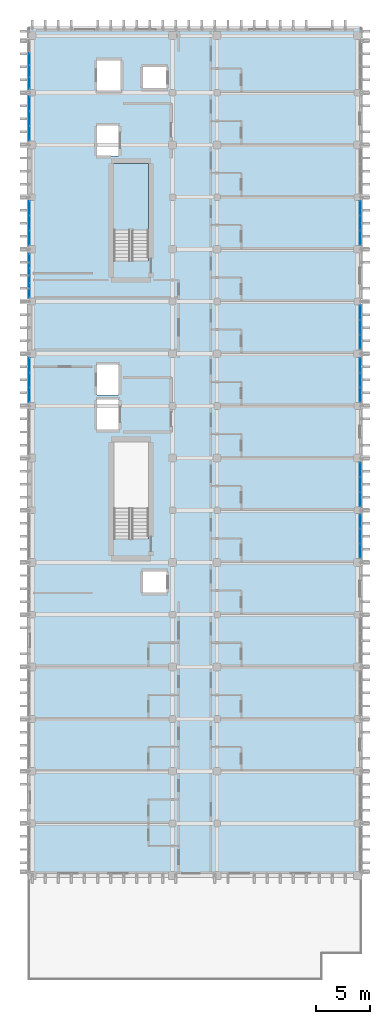
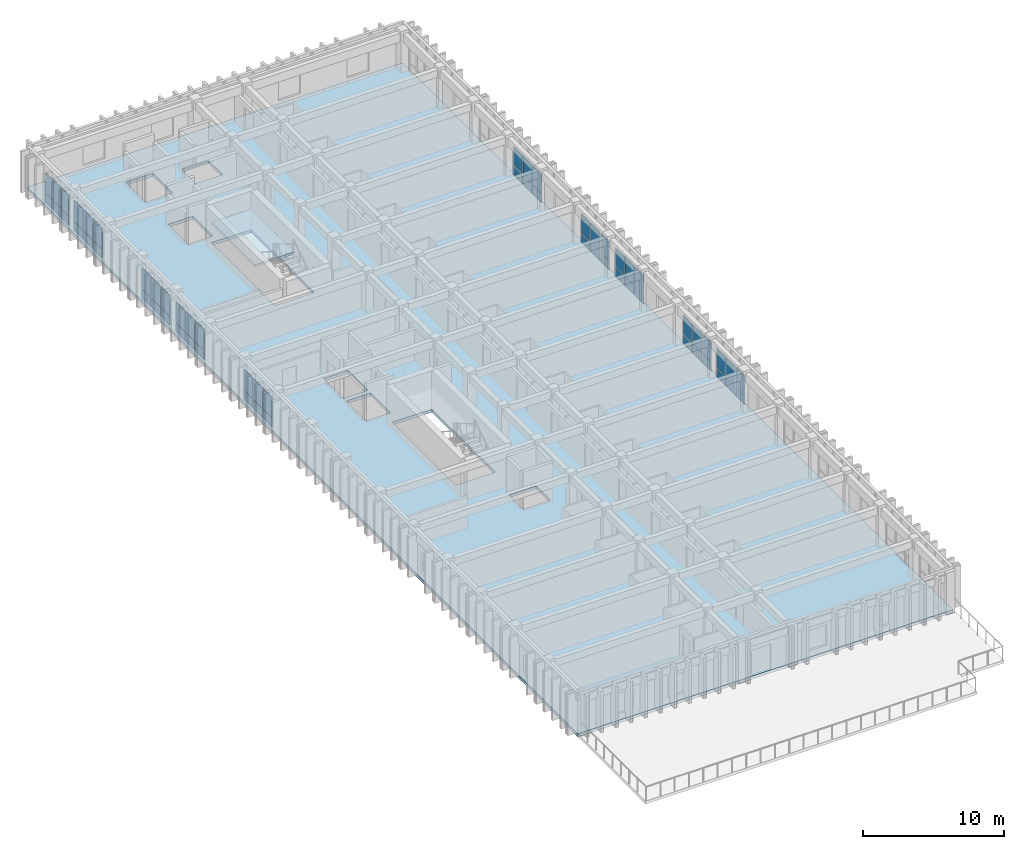
# One storey, part 46 of 59: 60 plates, 2 slabs, 11 elements without a shape of their own.
"""IFC4 building model written with IfcOpenShell, lengths in metres."""

import ifcopenshell
import ifcopenshell.guid

model = None  # the IFC model being written
_history = None  # IfcOwnerHistory: only IFC2X3 demands one
_inside = {}  # id of a spatial element -> (the spatial element, [elements in it])
_under = {}  # id of a project, library or spatial element -> (it, [spatial elements below it])
_declared = {}  # id of a project -> (the project, [libraries it declares])
_typed = {}  # id of a type object -> (the type object, [elements of that type])
_made_of = {}  # id of a material, layer set ... -> (it, [elements and type objects made of it])


def new_model(schema):
    """Start an empty IFC model of exactly this schema.

    Asked for "IFC4X3", IfcOpenShell would pick the latest addendum, in which some entities
    have other attributes; the version numbers below select the first issue.
    IFC2X3 requires an IfcOwnerHistory on every rooted entity: one is made here for all.
    """
    global model, _history
    if schema == "IFC4X3":
        model = ifcopenshell.file(schema_version=(4, 3, 0, 0))
    else:
        model = ifcopenshell.file(schema=schema)
    _inside.clear()
    _under.clear()
    _declared.clear()
    _typed.clear()
    _made_of.clear()
    _history = None
    if model.schema == "IFC2X3":
        org = make("IfcOrganization", Name="unknown")
        user = make(
            "IfcPersonAndOrganization",
            ThePerson=make("IfcPerson", FamilyName="unknown"),
            TheOrganization=org,
        )
        app = make(
            "IfcApplication",
            ApplicationDeveloper=org,
            Version="unknown",
            ApplicationFullName="unknown",
            ApplicationIdentifier="unknown",
        )
        _history = make(
            "IfcOwnerHistory",
            OwningUser=user,
            OwningApplication=app,
            ChangeAction="ADDED",
            CreationDate=0,
        )
    return model


def make(cls, **values):
    """One entity of the class cls with the attributes given. An attribute that is None is left unset."""
    return model.create_entity(
        cls, **{name: value for name, value in values.items() if value is not None}
    )


def rooted(cls, **values):
    """An entity with a GlobalId (a new one), such as an element, a storey or a relation."""
    return make(cls, GlobalId=ifcopenshell.guid.new(), OwnerHistory=_history, **values)


def si_unit(unit_type, name, prefix=None):
    """IfcSIUnit, for example si_unit("LENGTHUNIT", "METRE", prefix="MILLI")."""
    return make("IfcSIUnit", UnitType=unit_type, Prefix=prefix, Name=name)


def assignment(units):
    """IfcUnitAssignment: the units of a project."""
    return None if units is None else make("IfcUnitAssignment", Units=units)


def point(xyz):
    """IfcCartesianPoint."""
    return None if xyz is None else make("IfcCartesianPoint", Coordinates=xyz)


def direction(xyz):
    """IfcDirection."""
    return None if xyz is None else make("IfcDirection", DirectionRatios=xyz)


def frame(location, z_axis=None, x_axis=None):
    """IfcAxis2Placement3D, a coordinate frame: its origin and axes. An axis left out is left unset."""
    return make(
        "IfcAxis2Placement3D",
        Location=point(location),
        Axis=direction(z_axis),
        RefDirection=direction(x_axis),
    )


def frame_2d(location, x_axis=None):
    """IfcAxis2Placement2D, a coordinate frame in the plane: its origin and x axis."""
    return make(
        "IfcAxis2Placement2D", Location=point(location), RefDirection=direction(x_axis)
    )


def origin():
    """The frame at (0, 0, 0) with its axes left unset."""
    return frame((0.0, 0.0, 0.0))


def origin_2d():
    """The frame at (0, 0) in the plane with its x axis left unset."""
    return frame_2d((0.0, 0.0))


def place(relative_to, where):
    """IfcLocalPlacement: puts the frame where relative to a parent placement (None: the world)."""
    return make(
        "IfcLocalPlacement", PlacementRelTo=relative_to, RelativePlacement=where
    )


def context(
    kind, dimensions, precision=None, world=None, true_north=None, identifier=None
):
    """IfcGeometricRepresentationContext, for example the 3D "Model" context."""
    return make(
        "IfcGeometricRepresentationContext",
        ContextIdentifier=identifier,
        ContextType=kind,
        CoordinateSpaceDimension=dimensions,
        Precision=precision,
        WorldCoordinateSystem=world,
        TrueNorth=true_north,
    )


def subcontext(parent, identifier, kind, view, scale=None):
    """IfcGeometricRepresentationSubContext, for example "Body" below "Model"."""
    return make(
        "IfcGeometricRepresentationSubContext",
        ContextIdentifier=identifier,
        ContextType=kind,
        ParentContext=parent,
        TargetScale=scale,
        TargetView=view,
    )


def project(units=None, contexts=None):
    """IfcProject with its units and contexts."""
    return rooted(
        "IfcProject",
        Name="project",
        RepresentationContexts=contexts,
        UnitsInContext=assignment(units),
    )


def spatial(cls, under=None, at=None, **own):
    """A site, building, storey or space (cls), placed at a placement, below another one or the project."""
    s = rooted(cls, ObjectPlacement=at, **own)
    if under is not None:
        _under.setdefault(under.id(), (under, []))[1].append(s)
    return s


def polyline(points):
    """IfcPolyline through the points."""
    return make("IfcPolyline", Points=[point(p) for p in points])


def profile(cls, at=None, kind="AREA", **sizes):
    """A parametric profile (cls). Its sizes go by their IFC names, for example OverallWidth=200.0."""
    return make(cls, ProfileType=kind, Position=at, **sizes)


def rectangle(**sizes):
    """IfcRectangleProfileDef."""
    return profile("IfcRectangleProfileDef", **sizes)


def outline(outer, holes=None, kind="AREA"):
    """IfcArbitraryClosedProfileDef: a profile drawn as a closed curve; with holes, ...WithVoids."""
    if holes is None:
        return make("IfcArbitraryClosedProfileDef", ProfileType=kind, OuterCurve=outer)
    return make(
        "IfcArbitraryProfileDefWithVoids",
        ProfileType=kind,
        OuterCurve=outer,
        InnerCurves=holes,
    )


def extrude(swept, where, along, depth):
    """IfcExtrudedAreaSolid: the profile swept, set in the frame where, extruded along a direction by depth."""
    return make(
        "IfcExtrudedAreaSolid",
        SweptArea=swept,
        Position=where,
        ExtrudedDirection=direction(along),
        Depth=depth,
    )


def shape(context_of_items, identifier, shape_type, items):
    """IfcShapeRepresentation: the items that make up one representation, for example the "Body"."""
    return make(
        "IfcShapeRepresentation",
        ContextOfItems=context_of_items,
        RepresentationIdentifier=identifier,
        RepresentationType=shape_type,
        Items=items,
    )


def material(Name=None, Category=None):
    """IfcMaterial."""
    return make("IfcMaterial", Name=Name, Category=Category)


def layer(
    of_material, thickness, ventilated=None, Name=None, Category=None, Priority=None
):
    """IfcMaterialLayer: one layer of a wall or slab, of a material (None: an air gap)."""
    return make(
        "IfcMaterialLayer",
        Material=of_material,
        LayerThickness=thickness,
        IsVentilated=ventilated,
        Name=Name,
        Category=Category,
        Priority=Priority,
    )


def layer_set(layers, Name=None):
    """IfcMaterialLayerSet."""
    return make("IfcMaterialLayerSet", MaterialLayers=layers, LayerSetName=Name)


def made_of(thing, what):
    """Note that an element or type object is made of a material, layer set ...; save() writes the relation."""
    if what is not None:
        _made_of.setdefault(what.id(), (what, []))[1].append(thing)
    return thing


def type_object(cls, material=None, **own):
    """A type object (cls), such as IfcWallType, which elements share."""
    return made_of(rooted(cls, **own), material)


def element(
    cls,
    number,
    at=None,
    inside=None,
    cuts=None,
    type_object=None,
    material=None,
    context=None,
    identifier="Body",
    shape_type=None,
    held_by="IfcProductDefinitionShape",
    body=None,
    shapes=None,
    **own,
):
    """One element of the class cls, such as IfcWall. Its Tag is "e" and its number.

    at: its placement. inside: the storey or other place that contains it. cuts: it is an
    opening in that element (IfcRelVoidsElement). A single representation is given by context,
    identifier, shape_type and body (its items); several are given by shapes. held_by: the class
    of the entity that holds the representations. save() writes the other relations.
    """
    e = rooted(cls, Tag="e%d" % number, ObjectPlacement=at, **own)
    if body is not None:
        shapes = [shape(context, identifier, shape_type, body)]
    if shapes is not None:
        e.Representation = make(held_by, Representations=shapes)
    if inside is not None:
        _inside.setdefault(inside.id(), (inside, []))[1].append(e)
    if cuts is not None:
        rooted(
            "IfcRelVoidsElement", RelatingBuildingElement=cuts, RelatedOpeningElement=e
        )
    if type_object is not None:
        _typed.setdefault(type_object.id(), (type_object, []))[1].append(e)
    return made_of(e, material)


def aggregate(whole, parts):
    """IfcRelAggregates: a whole, such as a stair, and the parts it consists of."""
    return rooted("IfcRelAggregates", RelatingObject=whole, RelatedObjects=parts)


def save(model, path):
    """Write the relations noted so far, then the file.

    IfcRelAggregates (storeys below a building ...), IfcRelContainedInSpatialStructure (elements
    in a storey), IfcRelDefinesByType, IfcRelAssociatesMaterial and IfcRelDeclares: one each for
    every whole, place, type object, material and project.
    """
    for whole, parts in _under.values():
        aggregate(whole, parts)
    for where, things in _inside.values():
        rooted(
            "IfcRelContainedInSpatialStructure",
            RelatedElements=things,
            RelatingStructure=where,
        )
    for kind, things in _typed.values():
        rooted("IfcRelDefinesByType", RelatedObjects=things, RelatingType=kind)
    for what, things in _made_of.values():
        rooted("IfcRelAssociatesMaterial", RelatedObjects=things, RelatingMaterial=what)
    for by, libraries in _declared.values():
        rooted("IfcRelDeclares", RelatingContext=by, RelatedDefinitions=libraries)
    model.write(path)


model = new_model("IFC4")

# Units and contexts
model_context = context("Model", 3, precision=1e-05, world=origin(), true_north=direction((0.0, 1.0)))
body_context = subcontext(model_context, "Body", "Model", "MODEL_VIEW")
ifc_project = project(units=[si_unit("LENGTHUNIT", "METRE"), si_unit("AREAUNIT", "SQUARE_METRE"), si_unit("VOLUMEUNIT", "CUBIC_METRE"), si_unit("PLANEANGLEUNIT", "RADIAN"), si_unit("MASSUNIT", "GRAM", prefix="KILO")], contexts=[model_context])

# Site, building, storey
site_placement = place(None, origin())
site = spatial("IfcSite", under=ifc_project, at=site_placement, CompositionType="ELEMENT")
building_placement = place(site_placement, origin())
building = spatial("IfcBuilding", under=site, at=building_placement, Name="Nakhvara Creek Congress Hotel", CompositionType="ELEMENT")
storey_placement = place(building_placement, frame((0.0, 0.0, 31.800048828125)))
storey = spatial("IfcBuildingStorey", under=building, at=storey_placement, Name="L07", CompositionType="ELEMENT", Elevation=31.800048828125)

# Curtain wall, plates
ifc_material_1 = material(Name="Bronze-anodised aluminium AW-6063-T6 and double-silver low-E glass", Category="aluminium")
ifc_layer_1 = layer(ifc_material_1, 0.199951171875)
ifc_layer_set_1 = layer_set([ifc_layer_1], Name="Bronze-anodised aluminium AW-6063-T6 and double-silver low-E glass")
curtain_wall_type = type_object("IfcCurtainWallType", Name="CW-HTL-UNIT", PredefinedType="USERDEFINED", material=ifc_layer_set_1)
curtain_wall_1_placement = place(storey_placement, origin())
curtain_wall_1 = element("IfcCurtainWall", 1, at=curtain_wall_1_placement, inside=storey, type_object=curtain_wall_type, Name="Curtain Wall CW261", ObjectType="UNITISED", PredefinedType="USERDEFINED")
ifc_material_2 = material(Name="Double-silver solar-control low-E insulated glass", Category="glass")
plate_type_1 = type_object("IfcPlateType", Name="PNL-GLZ-120X250", PredefinedType="CURTAIN_PANEL", material=ifc_material_2)
plate_1_placement = place(storey_placement, frame((179.60009765625, 80.575439453125, 0.06494140625), z_axis=(0.0, 0.0, 1.0), x_axis=(0.0, -1.0, 0.0)))
plate_1 = element("IfcPlate", 2, at=plate_1_placement, type_object=plate_type_1, Name="CW261 panel 1.1", PredefinedType="CURTAIN_PANEL", context=body_context, shape_type="SweptSolid", body=[
    extrude(rectangle(XDim=1.269287109375, YDim=0.028076171875, at=origin_2d()), origin(), (0.0, 0.0, 1.0), 0.75244140625),
])
plate_2_placement = place(storey_placement, frame((179.60009765625, 80.575439453125, 0.88232421875), z_axis=(0.0, 0.0, 1.0), x_axis=(0.0, -1.0, 0.0)))
plate_2 = element("IfcPlate", 3, at=plate_2_placement, type_object=plate_type_1, Name="CW261 panel 1.2", PredefinedType="CURTAIN_PANEL", context=body_context, shape_type="SweptSolid", body=[
    extrude(rectangle(XDim=1.269287109375, YDim=0.028076171875, at=origin_2d()), origin(), (0.0, 0.0, 1.0), 1.654541015625),
])
plate_3_placement = place(storey_placement, frame((179.60009765625, 79.22509765625, 0.06494140625), z_axis=(0.0, 0.0, 1.0), x_axis=(0.0, -1.0, 0.0)))
plate_3 = element("IfcPlate", 4, at=plate_3_placement, type_object=plate_type_1, Name="CW261 panel 2.1", PredefinedType="CURTAIN_PANEL", context=body_context, shape_type="SweptSolid", body=[
    extrude(rectangle(XDim=1.3017578125, YDim=0.028076171875, at=origin_2d()), origin(), (0.0, 0.0, 1.0), 0.75244140625),
])
plate_4_placement = place(storey_placement, frame((179.60009765625, 79.22509765625, 0.88232421875), z_axis=(0.0, 0.0, 1.0), x_axis=(0.0, -1.0, 0.0)))
plate_4 = element("IfcPlate", 5, at=plate_4_placement, type_object=plate_type_1, Name="CW261 panel 2.2", PredefinedType="CURTAIN_PANEL", context=body_context, shape_type="SweptSolid", body=[
    extrude(rectangle(XDim=1.3017578125, YDim=0.028076171875, at=origin_2d()), origin(), (0.0, 0.0, 1.0), 1.654541015625),
])
plate_5_placement = place(storey_placement, frame((179.60009765625, 77.87451171875, 0.06494140625), z_axis=(0.0, 0.0, 1.0), x_axis=(0.0, -1.0, 0.0)))
plate_5 = element("IfcPlate", 6, at=plate_5_placement, type_object=plate_type_1, Name="CW261 panel 3.1", PredefinedType="CURTAIN_PANEL", context=body_context, shape_type="SweptSolid", body=[
    extrude(rectangle(XDim=1.269287109375, YDim=0.028076171875, at=origin_2d()), origin(), (0.0, 0.0, 1.0), 0.75244140625),
])
plate_6_placement = place(storey_placement, frame((179.60009765625, 77.87451171875, 0.88232421875), z_axis=(0.0, 0.0, 1.0), x_axis=(0.0, -1.0, 0.0)))
plate_6 = element("IfcPlate", 7, at=plate_6_placement, type_object=plate_type_1, Name="CW261 panel 3.2", PredefinedType="CURTAIN_PANEL", context=body_context, shape_type="SweptSolid", body=[
    extrude(rectangle(XDim=1.269287109375, YDim=0.028076171875, at=origin_2d()), origin(), (0.0, 0.0, 1.0), 1.654541015625),
])
aggregate(curtain_wall_1, [plate_1, plate_2, plate_3, plate_4, plate_5, plate_6])

curtain_wall_2_placement = place(storey_placement, origin())
curtain_wall_2 = element("IfcCurtainWall", 8, at=curtain_wall_2_placement, inside=storey, type_object=curtain_wall_type, Name="Curtain Wall CW263", ObjectType="UNITISED", PredefinedType="USERDEFINED")
plate_7_placement = place(storey_placement, frame((179.60009765625, 85.325439453125, 0.06494140625), z_axis=(0.0, 0.0, 1.0), x_axis=(0.0, -1.0, 0.0)))
plate_7 = element("IfcPlate", 9, at=plate_7_placement, type_object=plate_type_1, Name="CW263 panel 1.1", PredefinedType="CURTAIN_PANEL", context=body_context, shape_type="SweptSolid", body=[
    extrude(rectangle(XDim=1.269287109375, YDim=0.028076171875, at=origin_2d()), origin(), (0.0, 0.0, 1.0), 0.75244140625),
])
plate_8_placement = place(storey_placement, frame((179.60009765625, 85.325439453125, 0.88232421875), z_axis=(0.0, 0.0, 1.0), x_axis=(0.0, -1.0, 0.0)))
plate_8 = element("IfcPlate", 10, at=plate_8_placement, type_object=plate_type_1, Name="CW263 panel 1.2", PredefinedType="CURTAIN_PANEL", context=body_context, shape_type="SweptSolid", body=[
    extrude(rectangle(XDim=1.269287109375, YDim=0.028076171875, at=origin_2d()), origin(), (0.0, 0.0, 1.0), 1.654541015625),
])
plate_9_placement = place(storey_placement, frame((179.60009765625, 83.97509765625, 0.06494140625), z_axis=(0.0, 0.0, 1.0), x_axis=(0.0, -1.0, 0.0)))
plate_9 = element("IfcPlate", 11, at=plate_9_placement, type_object=plate_type_1, Name="CW263 panel 2.1", PredefinedType="CURTAIN_PANEL", context=body_context, shape_type="SweptSolid", body=[
    extrude(rectangle(XDim=1.3017578125, YDim=0.028076171875, at=origin_2d()), origin(), (0.0, 0.0, 1.0), 0.75244140625),
])
plate_10_placement = place(storey_placement, frame((179.60009765625, 83.97509765625, 0.88232421875), z_axis=(0.0, 0.0, 1.0), x_axis=(0.0, -1.0, 0.0)))
plate_10 = element("IfcPlate", 12, at=plate_10_placement, type_object=plate_type_1, Name="CW263 panel 2.2", PredefinedType="CURTAIN_PANEL", context=body_context, shape_type="SweptSolid", body=[
    extrude(rectangle(XDim=1.3017578125, YDim=0.028076171875, at=origin_2d()), origin(), (0.0, 0.0, 1.0), 1.654541015625),
])
plate_11_placement = place(storey_placement, frame((179.60009765625, 82.62451171875, 0.06494140625), z_axis=(0.0, 0.0, 1.0), x_axis=(0.0, -1.0, 0.0)))
plate_11 = element("IfcPlate", 13, at=plate_11_placement, type_object=plate_type_1, Name="CW263 panel 3.1", PredefinedType="CURTAIN_PANEL", context=body_context, shape_type="SweptSolid", body=[
    extrude(rectangle(XDim=1.269287109375, YDim=0.028076171875, at=origin_2d()), origin(), (0.0, 0.0, 1.0), 0.75244140625),
])
plate_12_placement = place(storey_placement, frame((179.60009765625, 82.62451171875, 0.88232421875), z_axis=(0.0, 0.0, 1.0), x_axis=(0.0, -1.0, 0.0)))
plate_12 = element("IfcPlate", 14, at=plate_12_placement, type_object=plate_type_1, Name="CW263 panel 3.2", PredefinedType="CURTAIN_PANEL", context=body_context, shape_type="SweptSolid", body=[
    extrude(rectangle(XDim=1.269287109375, YDim=0.028076171875, at=origin_2d()), origin(), (0.0, 0.0, 1.0), 1.654541015625),
])
aggregate(curtain_wall_2, [plate_7, plate_8, plate_9, plate_10, plate_11, plate_12])

curtain_wall_3_placement = place(storey_placement, origin())
curtain_wall_3 = element("IfcCurtainWall", 15, at=curtain_wall_3_placement, inside=storey, type_object=curtain_wall_type, Name="Curtain Wall CW265", ObjectType="UNITISED", PredefinedType="USERDEFINED")
plate_13_placement = place(storey_placement, frame((179.60009765625, 94.925537109375, 0.06494140625), z_axis=(0.0, 0.0, 1.0), x_axis=(0.0, -1.0, 0.0)))
plate_13 = element("IfcPlate", 16, at=plate_13_placement, type_object=plate_type_1, Name="CW265 panel 1.1", PredefinedType="CURTAIN_PANEL", context=body_context, shape_type="SweptSolid", body=[
    extrude(rectangle(XDim=1.269287109375, YDim=0.028076171875, at=origin_2d()), origin(), (0.0, 0.0, 1.0), 0.75244140625),
])
plate_14_placement = place(storey_placement, frame((179.60009765625, 94.925537109375, 0.88232421875), z_axis=(0.0, 0.0, 1.0), x_axis=(0.0, -1.0, 0.0)))
plate_14 = element("IfcPlate", 17, at=plate_14_placement, type_object=plate_type_1, Name="CW265 panel 1.2", PredefinedType="CURTAIN_PANEL", context=body_context, shape_type="SweptSolid", body=[
    extrude(rectangle(XDim=1.269287109375, YDim=0.028076171875, at=origin_2d()), origin(), (0.0, 0.0, 1.0), 1.654541015625),
])
plate_15_placement = place(storey_placement, frame((179.60009765625, 93.574951171875, 0.06494140625), z_axis=(0.0, 0.0, 1.0), x_axis=(0.0, -1.0, 0.0)))
plate_15 = element("IfcPlate", 18, at=plate_15_placement, type_object=plate_type_1, Name="CW265 panel 2.1", PredefinedType="CURTAIN_PANEL", context=body_context, shape_type="SweptSolid", body=[
    extrude(rectangle(XDim=1.3017578125, YDim=0.028076171875, at=origin_2d()), origin(), (0.0, 0.0, 1.0), 0.75244140625),
])
plate_16_placement = place(storey_placement, frame((179.60009765625, 93.574951171875, 0.88232421875), z_axis=(0.0, 0.0, 1.0), x_axis=(0.0, -1.0, 0.0)))
plate_16 = element("IfcPlate", 19, at=plate_16_placement, type_object=plate_type_1, Name="CW265 panel 2.2", PredefinedType="CURTAIN_PANEL", context=body_context, shape_type="SweptSolid", body=[
    extrude(rectangle(XDim=1.3017578125, YDim=0.028076171875, at=origin_2d()), origin(), (0.0, 0.0, 1.0), 1.654541015625),
])
plate_17_placement = place(storey_placement, frame((179.60009765625, 92.224609375, 0.06494140625), z_axis=(0.0, 0.0, 1.0), x_axis=(0.0, -1.0, 0.0)))
plate_17 = element("IfcPlate", 20, at=plate_17_placement, type_object=plate_type_1, Name="CW265 panel 3.1", PredefinedType="CURTAIN_PANEL", context=body_context, shape_type="SweptSolid", body=[
    extrude(rectangle(XDim=1.269287109375, YDim=0.028076171875, at=origin_2d()), origin(), (0.0, 0.0, 1.0), 0.75244140625),
])
plate_18_placement = place(storey_placement, frame((179.60009765625, 92.224609375, 0.88232421875), z_axis=(0.0, 0.0, 1.0), x_axis=(0.0, -1.0, 0.0)))
plate_18 = element("IfcPlate", 21, at=plate_18_placement, type_object=plate_type_1, Name="CW265 panel 3.2", PredefinedType="CURTAIN_PANEL", context=body_context, shape_type="SweptSolid", body=[
    extrude(rectangle(XDim=1.269287109375, YDim=0.028076171875, at=origin_2d()), origin(), (0.0, 0.0, 1.0), 1.654541015625),
])
aggregate(curtain_wall_3, [plate_13, plate_14, plate_15, plate_16, plate_17, plate_18])

curtain_wall_4_placement = place(storey_placement, origin())
curtain_wall_4 = element("IfcCurtainWall", 22, at=curtain_wall_4_placement, inside=storey, type_object=curtain_wall_type, Name="Curtain Wall CW266", ObjectType="UNITISED", PredefinedType="USERDEFINED")
plate_19_placement = place(storey_placement, frame((149.199951171875, 92.224609375, 0.06494140625), z_axis=(0.0, 0.0, 1.0), x_axis=(0.0, 1.0, 0.0)))
plate_19 = element("IfcPlate", 23, at=plate_19_placement, type_object=plate_type_1, Name="CW266 panel 1.1", PredefinedType="CURTAIN_PANEL", context=body_context, shape_type="SweptSolid", body=[
    extrude(rectangle(XDim=1.269287109375, YDim=0.028076171875, at=origin_2d()), origin(), (0.0, 0.0, 1.0), 0.75244140625),
])
plate_20_placement = place(storey_placement, frame((149.199951171875, 92.224609375, 0.88232421875), z_axis=(0.0, 0.0, 1.0), x_axis=(0.0, 1.0, 0.0)))
plate_20 = element("IfcPlate", 24, at=plate_20_placement, type_object=plate_type_1, Name="CW266 panel 1.2", PredefinedType="CURTAIN_PANEL", context=body_context, shape_type="SweptSolid", body=[
    extrude(rectangle(XDim=1.269287109375, YDim=0.028076171875, at=origin_2d()), origin(), (0.0, 0.0, 1.0), 1.784423828125),
])
plate_21_placement = place(storey_placement, frame((149.199951171875, 93.574951171875, 0.06494140625), z_axis=(0.0, 0.0, 1.0), x_axis=(0.0, 1.0, 0.0)))
plate_21 = element("IfcPlate", 25, at=plate_21_placement, type_object=plate_type_1, Name="CW266 panel 2.1", PredefinedType="CURTAIN_PANEL", context=body_context, shape_type="SweptSolid", body=[
    extrude(rectangle(XDim=1.3017578125, YDim=0.028076171875, at=origin_2d()), origin(), (0.0, 0.0, 1.0), 0.75244140625),
])
plate_22_placement = place(storey_placement, frame((149.199951171875, 93.574951171875, 0.88232421875), z_axis=(0.0, 0.0, 1.0), x_axis=(0.0, 1.0, 0.0)))
plate_22 = element("IfcPlate", 26, at=plate_22_placement, type_object=plate_type_1, Name="CW266 panel 2.2", PredefinedType="CURTAIN_PANEL", context=body_context, shape_type="SweptSolid", body=[
    extrude(rectangle(XDim=1.3017578125, YDim=0.028076171875, at=origin_2d()), origin(), (0.0, 0.0, 1.0), 1.784423828125),
])
plate_23_placement = place(storey_placement, frame((149.199951171875, 94.925537109375, 0.06494140625), z_axis=(0.0, 0.0, 1.0), x_axis=(0.0, 1.0, 0.0)))
plate_23 = element("IfcPlate", 27, at=plate_23_placement, type_object=plate_type_1, Name="CW266 panel 3.1", PredefinedType="CURTAIN_PANEL", context=body_context, shape_type="SweptSolid", body=[
    extrude(rectangle(XDim=1.269287109375, YDim=0.028076171875, at=origin_2d()), origin(), (0.0, 0.0, 1.0), 0.75244140625),
])
plate_24_placement = place(storey_placement, frame((149.199951171875, 94.925537109375, 0.88232421875), z_axis=(0.0, 0.0, 1.0), x_axis=(0.0, 1.0, 0.0)))
plate_24 = element("IfcPlate", 28, at=plate_24_placement, type_object=plate_type_1, Name="CW266 panel 3.2", PredefinedType="CURTAIN_PANEL", context=body_context, shape_type="SweptSolid", body=[
    extrude(rectangle(XDim=1.269287109375, YDim=0.028076171875, at=origin_2d()), origin(), (0.0, 0.0, 1.0), 1.784423828125),
])
aggregate(curtain_wall_4, [plate_19, plate_20, plate_21, plate_22, plate_23, plate_24])

curtain_wall_5_placement = place(storey_placement, origin())
curtain_wall_5 = element("IfcCurtainWall", 29, at=curtain_wall_5_placement, inside=storey, type_object=curtain_wall_type, Name="Curtain Wall CW267", ObjectType="UNITISED", PredefinedType="USERDEFINED")
plate_25_placement = place(storey_placement, frame((179.60009765625, 99.775390625, 0.06494140625), z_axis=(0.0, 0.0, 1.0), x_axis=(0.0, -1.0, 0.0)))
plate_25 = element("IfcPlate", 30, at=plate_25_placement, type_object=plate_type_1, Name="CW267 panel 1.1", PredefinedType="CURTAIN_PANEL", context=body_context, shape_type="SweptSolid", body=[
    extrude(rectangle(XDim=1.269287109375, YDim=0.028076171875, at=origin_2d()), origin(), (0.0, 0.0, 1.0), 0.75244140625),
])
plate_26_placement = place(storey_placement, frame((179.60009765625, 99.775390625, 0.88232421875), z_axis=(0.0, 0.0, 1.0), x_axis=(0.0, -1.0, 0.0)))
plate_26 = element("IfcPlate", 31, at=plate_26_placement, type_object=plate_type_1, Name="CW267 panel 1.2", PredefinedType="CURTAIN_PANEL", context=body_context, shape_type="SweptSolid", body=[
    extrude(rectangle(XDim=1.269287109375, YDim=0.028076171875, at=origin_2d()), origin(), (0.0, 0.0, 1.0), 1.654541015625),
])
plate_27_placement = place(storey_placement, frame((179.60009765625, 98.425048828125, 0.06494140625), z_axis=(0.0, 0.0, 1.0), x_axis=(0.0, -1.0, 0.0)))
plate_27 = element("IfcPlate", 32, at=plate_27_placement, type_object=plate_type_1, Name="CW267 panel 2.1", PredefinedType="CURTAIN_PANEL", context=body_context, shape_type="SweptSolid", body=[
    extrude(rectangle(XDim=1.3017578125, YDim=0.028076171875, at=origin_2d()), origin(), (0.0, 0.0, 1.0), 0.75244140625),
])
plate_28_placement = place(storey_placement, frame((179.60009765625, 98.425048828125, 0.88232421875), z_axis=(0.0, 0.0, 1.0), x_axis=(0.0, -1.0, 0.0)))
plate_28 = element("IfcPlate", 33, at=plate_28_placement, type_object=plate_type_1, Name="CW267 panel 2.2", PredefinedType="CURTAIN_PANEL", context=body_context, shape_type="SweptSolid", body=[
    extrude(rectangle(XDim=1.3017578125, YDim=0.028076171875, at=origin_2d()), origin(), (0.0, 0.0, 1.0), 1.654541015625),
])
plate_29_placement = place(storey_placement, frame((179.60009765625, 97.074462890625, 0.06494140625), z_axis=(0.0, 0.0, 1.0), x_axis=(0.0, -1.0, 0.0)))
plate_29 = element("IfcPlate", 34, at=plate_29_placement, type_object=plate_type_1, Name="CW267 panel 3.1", PredefinedType="CURTAIN_PANEL", context=body_context, shape_type="SweptSolid", body=[
    extrude(rectangle(XDim=1.269287109375, YDim=0.028076171875, at=origin_2d()), origin(), (0.0, 0.0, 1.0), 0.75244140625),
])
plate_30_placement = place(storey_placement, frame((179.60009765625, 97.074462890625, 0.88232421875), z_axis=(0.0, 0.0, 1.0), x_axis=(0.0, -1.0, 0.0)))
plate_30 = element("IfcPlate", 35, at=plate_30_placement, type_object=plate_type_1, Name="CW267 panel 3.2", PredefinedType="CURTAIN_PANEL", context=body_context, shape_type="SweptSolid", body=[
    extrude(rectangle(XDim=1.269287109375, YDim=0.028076171875, at=origin_2d()), origin(), (0.0, 0.0, 1.0), 1.654541015625),
])
aggregate(curtain_wall_5, [plate_25, plate_26, plate_27, plate_28, plate_29, plate_30])

curtain_wall_6_placement = place(storey_placement, origin())
curtain_wall_6 = element("IfcCurtainWall", 36, at=curtain_wall_6_placement, inside=storey, type_object=curtain_wall_type, Name="Curtain Wall CW269", ObjectType="UNITISED", PredefinedType="USERDEFINED")
plate_31_placement = place(storey_placement, frame((179.60009765625, 109.37548828125, 0.06494140625), z_axis=(0.0, 0.0, 1.0), x_axis=(0.0, -1.0, 0.0)))
plate_31 = element("IfcPlate", 37, at=plate_31_placement, type_object=plate_type_1, Name="CW269 panel 1.1", PredefinedType="CURTAIN_PANEL", context=body_context, shape_type="SweptSolid", body=[
    extrude(rectangle(XDim=1.269287109375, YDim=0.028076171875, at=origin_2d()), origin(), (0.0, 0.0, 1.0), 0.75244140625),
])
plate_32_placement = place(storey_placement, frame((179.60009765625, 109.37548828125, 0.88232421875), z_axis=(0.0, 0.0, 1.0), x_axis=(0.0, -1.0, 0.0)))
plate_32 = element("IfcPlate", 38, at=plate_32_placement, type_object=plate_type_1, Name="CW269 panel 1.2", PredefinedType="CURTAIN_PANEL", context=body_context, shape_type="SweptSolid", body=[
    extrude(rectangle(XDim=1.269287109375, YDim=0.028076171875, at=origin_2d()), origin(), (0.0, 0.0, 1.0), 1.654541015625),
])
plate_33_placement = place(storey_placement, frame((179.60009765625, 108.02490234375, 0.06494140625), z_axis=(0.0, 0.0, 1.0), x_axis=(0.0, -1.0, 0.0)))
plate_33 = element("IfcPlate", 39, at=plate_33_placement, type_object=plate_type_1, Name="CW269 panel 2.1", PredefinedType="CURTAIN_PANEL", context=body_context, shape_type="SweptSolid", body=[
    extrude(rectangle(XDim=1.3017578125, YDim=0.028076171875, at=origin_2d()), origin(), (0.0, 0.0, 1.0), 0.75244140625),
])
plate_34_placement = place(storey_placement, frame((179.60009765625, 108.02490234375, 0.88232421875), z_axis=(0.0, 0.0, 1.0), x_axis=(0.0, -1.0, 0.0)))
plate_34 = element("IfcPlate", 40, at=plate_34_placement, type_object=plate_type_1, Name="CW269 panel 2.2", PredefinedType="CURTAIN_PANEL", context=body_context, shape_type="SweptSolid", body=[
    extrude(rectangle(XDim=1.3017578125, YDim=0.028076171875, at=origin_2d()), origin(), (0.0, 0.0, 1.0), 1.654541015625),
])
plate_35_placement = place(storey_placement, frame((179.60009765625, 106.674560546875, 0.06494140625), z_axis=(0.0, 0.0, 1.0), x_axis=(0.0, -1.0, 0.0)))
plate_35 = element("IfcPlate", 41, at=plate_35_placement, type_object=plate_type_1, Name="CW269 panel 3.1", PredefinedType="CURTAIN_PANEL", context=body_context, shape_type="SweptSolid", body=[
    extrude(rectangle(XDim=1.269287109375, YDim=0.028076171875, at=origin_2d()), origin(), (0.0, 0.0, 1.0), 0.75244140625),
])
plate_36_placement = place(storey_placement, frame((179.60009765625, 106.674560546875, 0.88232421875), z_axis=(0.0, 0.0, 1.0), x_axis=(0.0, -1.0, 0.0)))
plate_36 = element("IfcPlate", 42, at=plate_36_placement, type_object=plate_type_1, Name="CW269 panel 3.2", PredefinedType="CURTAIN_PANEL", context=body_context, shape_type="SweptSolid", body=[
    extrude(rectangle(XDim=1.269287109375, YDim=0.028076171875, at=origin_2d()), origin(), (0.0, 0.0, 1.0), 1.654541015625),
])
aggregate(curtain_wall_6, [plate_31, plate_32, plate_33, plate_34, plate_35, plate_36])

curtain_wall_7_placement = place(storey_placement, origin())
curtain_wall_7 = element("IfcCurtainWall", 43, at=curtain_wall_7_placement, inside=storey, type_object=curtain_wall_type, Name="Curtain Wall CW270", ObjectType="UNITISED", PredefinedType="USERDEFINED")
plate_37_placement = place(storey_placement, frame((149.199951171875, 106.674560546875, 0.06494140625), z_axis=(0.0, 0.0, 1.0), x_axis=(0.0, 1.0, 0.0)))
plate_37 = element("IfcPlate", 44, at=plate_37_placement, type_object=plate_type_1, Name="CW270 panel 1.1", PredefinedType="CURTAIN_PANEL", context=body_context, shape_type="SweptSolid", body=[
    extrude(rectangle(XDim=1.269287109375, YDim=0.028076171875, at=origin_2d()), origin(), (0.0, 0.0, 1.0), 0.75244140625),
])
plate_38_placement = place(storey_placement, frame((149.199951171875, 106.674560546875, 0.88232421875), z_axis=(0.0, 0.0, 1.0), x_axis=(0.0, 1.0, 0.0)))
plate_38 = element("IfcPlate", 45, at=plate_38_placement, type_object=plate_type_1, Name="CW270 panel 1.2", PredefinedType="CURTAIN_PANEL", context=body_context, shape_type="SweptSolid", body=[
    extrude(rectangle(XDim=1.269287109375, YDim=0.028076171875, at=origin_2d()), origin(), (0.0, 0.0, 1.0), 1.784423828125),
])
plate_39_placement = place(storey_placement, frame((149.199951171875, 108.02490234375, 0.06494140625), z_axis=(0.0, 0.0, 1.0), x_axis=(0.0, 1.0, 0.0)))
plate_39 = element("IfcPlate", 46, at=plate_39_placement, type_object=plate_type_1, Name="CW270 panel 2.1", PredefinedType="CURTAIN_PANEL", context=body_context, shape_type="SweptSolid", body=[
    extrude(rectangle(XDim=1.3017578125, YDim=0.028076171875, at=origin_2d()), origin(), (0.0, 0.0, 1.0), 0.75244140625),
])
plate_40_placement = place(storey_placement, frame((149.199951171875, 108.02490234375, 0.88232421875), z_axis=(0.0, 0.0, 1.0), x_axis=(0.0, 1.0, 0.0)))
plate_40 = element("IfcPlate", 47, at=plate_40_placement, type_object=plate_type_1, Name="CW270 panel 2.2", PredefinedType="CURTAIN_PANEL", context=body_context, shape_type="SweptSolid", body=[
    extrude(rectangle(XDim=1.3017578125, YDim=0.028076171875, at=origin_2d()), origin(), (0.0, 0.0, 1.0), 1.784423828125),
])
plate_41_placement = place(storey_placement, frame((149.199951171875, 109.37548828125, 0.06494140625), z_axis=(0.0, 0.0, 1.0), x_axis=(0.0, 1.0, 0.0)))
plate_41 = element("IfcPlate", 48, at=plate_41_placement, type_object=plate_type_1, Name="CW270 panel 3.1", PredefinedType="CURTAIN_PANEL", context=body_context, shape_type="SweptSolid", body=[
    extrude(rectangle(XDim=1.269287109375, YDim=0.028076171875, at=origin_2d()), origin(), (0.0, 0.0, 1.0), 0.75244140625),
])
plate_42_placement = place(storey_placement, frame((149.199951171875, 109.37548828125, 0.88232421875), z_axis=(0.0, 0.0, 1.0), x_axis=(0.0, 1.0, 0.0)))
plate_42 = element("IfcPlate", 49, at=plate_42_placement, type_object=plate_type_1, Name="CW270 panel 3.2", PredefinedType="CURTAIN_PANEL", context=body_context, shape_type="SweptSolid", body=[
    extrude(rectangle(XDim=1.269287109375, YDim=0.028076171875, at=origin_2d()), origin(), (0.0, 0.0, 1.0), 1.784423828125),
])
aggregate(curtain_wall_7, [plate_37, plate_38, plate_39, plate_40, plate_41, plate_42])

curtain_wall_8_placement = place(storey_placement, origin())
curtain_wall_8 = element("IfcCurtainWall", 50, at=curtain_wall_8_placement, inside=storey, type_object=curtain_wall_type, Name="Curtain Wall CW272", ObjectType="UNITISED", PredefinedType="USERDEFINED")
plate_43_placement = place(storey_placement, frame((149.199951171875, 116.274658203125, 0.06494140625), z_axis=(0.0, 0.0, 1.0), x_axis=(0.0, 1.0, 0.0)))
plate_43 = element("IfcPlate", 51, at=plate_43_placement, type_object=plate_type_1, Name="CW272 panel 1.1", PredefinedType="CURTAIN_PANEL", context=body_context, shape_type="SweptSolid", body=[
    extrude(rectangle(XDim=1.269287109375, YDim=0.028076171875, at=origin_2d()), origin(), (0.0, 0.0, 1.0), 0.75244140625),
])
plate_44_placement = place(storey_placement, frame((149.199951171875, 116.274658203125, 0.88232421875), z_axis=(0.0, 0.0, 1.0), x_axis=(0.0, 1.0, 0.0)))
plate_44 = element("IfcPlate", 52, at=plate_44_placement, type_object=plate_type_1, Name="CW272 panel 1.2", PredefinedType="CURTAIN_PANEL", context=body_context, shape_type="SweptSolid", body=[
    extrude(rectangle(XDim=1.269287109375, YDim=0.028076171875, at=origin_2d()), origin(), (0.0, 0.0, 1.0), 1.784423828125),
])
plate_45_placement = place(storey_placement, frame((149.199951171875, 117.625, 0.06494140625), z_axis=(0.0, 0.0, 1.0), x_axis=(0.0, 1.0, 0.0)))
plate_45 = element("IfcPlate", 53, at=plate_45_placement, type_object=plate_type_1, Name="CW272 panel 2.1", PredefinedType="CURTAIN_PANEL", context=body_context, shape_type="SweptSolid", body=[
    extrude(rectangle(XDim=1.3017578125, YDim=0.028076171875, at=origin_2d()), origin(), (0.0, 0.0, 1.0), 0.75244140625),
])
plate_46_placement = place(storey_placement, frame((149.199951171875, 117.625, 0.88232421875), z_axis=(0.0, 0.0, 1.0), x_axis=(0.0, 1.0, 0.0)))
plate_46 = element("IfcPlate", 54, at=plate_46_placement, type_object=plate_type_1, Name="CW272 panel 2.2", PredefinedType="CURTAIN_PANEL", context=body_context, shape_type="SweptSolid", body=[
    extrude(rectangle(XDim=1.3017578125, YDim=0.028076171875, at=origin_2d()), origin(), (0.0, 0.0, 1.0), 1.784423828125),
])
plate_47_placement = place(storey_placement, frame((149.199951171875, 118.975341796875, 0.06494140625), z_axis=(0.0, 0.0, 1.0), x_axis=(0.0, 1.0, 0.0)))
plate_47 = element("IfcPlate", 55, at=plate_47_placement, type_object=plate_type_1, Name="CW272 panel 3.1", PredefinedType="CURTAIN_PANEL", context=body_context, shape_type="SweptSolid", body=[
    extrude(rectangle(XDim=1.269287109375, YDim=0.028076171875, at=origin_2d()), origin(), (0.0, 0.0, 1.0), 0.75244140625),
])
plate_48_placement = place(storey_placement, frame((149.199951171875, 118.975341796875, 0.88232421875), z_axis=(0.0, 0.0, 1.0), x_axis=(0.0, 1.0, 0.0)))
plate_48 = element("IfcPlate", 56, at=plate_48_placement, type_object=plate_type_1, Name="CW272 panel 3.2", PredefinedType="CURTAIN_PANEL", context=body_context, shape_type="SweptSolid", body=[
    extrude(rectangle(XDim=1.269287109375, YDim=0.028076171875, at=origin_2d()), origin(), (0.0, 0.0, 1.0), 1.784423828125),
])
aggregate(curtain_wall_8, [plate_43, plate_44, plate_45, plate_46, plate_47, plate_48])

curtain_wall_9_placement = place(storey_placement, origin())
curtain_wall_9 = element("IfcCurtainWall", 57, at=curtain_wall_9_placement, inside=storey, type_object=curtain_wall_type, Name="Curtain Wall CW274", ObjectType="UNITISED", PredefinedType="USERDEFINED")
plate_49_placement = place(storey_placement, frame((149.199951171875, 120.900634765625, 0.06494140625), z_axis=(0.0, 0.0, 1.0), x_axis=(0.0, 1.0, 0.0)))
plate_49 = element("IfcPlate", 58, at=plate_49_placement, type_object=plate_type_1, Name="CW274 panel 1.1", PredefinedType="CURTAIN_PANEL", context=body_context, shape_type="SweptSolid", body=[
    extrude(rectangle(XDim=1.021240234375, YDim=0.028076171875, at=origin_2d()), origin(), (0.0, 0.0, 1.0), 0.75244140625),
])
plate_50_placement = place(storey_placement, frame((149.199951171875, 120.900634765625, 0.88232421875), z_axis=(0.0, 0.0, 1.0), x_axis=(0.0, 1.0, 0.0)))
plate_50 = element("IfcPlate", 59, at=plate_50_placement, type_object=plate_type_1, Name="CW274 panel 1.2", PredefinedType="CURTAIN_PANEL", context=body_context, shape_type="SweptSolid", body=[
    extrude(rectangle(XDim=1.021240234375, YDim=0.028076171875, at=origin_2d()), origin(), (0.0, 0.0, 1.0), 1.784423828125),
])
plate_51_placement = place(storey_placement, frame((149.199951171875, 122.003173828125, 0.06494140625), z_axis=(0.0, 0.0, 1.0), x_axis=(0.0, 1.0, 0.0)))
plate_51 = element("IfcPlate", 60, at=plate_51_placement, type_object=plate_type_1, Name="CW274 panel 2.1", PredefinedType="CURTAIN_PANEL", context=body_context, shape_type="SweptSolid", body=[
    extrude(rectangle(XDim=1.0537109375, YDim=0.028076171875, at=origin_2d()), origin(), (0.0, 0.0, 1.0), 0.75244140625),
])
plate_52_placement = place(storey_placement, frame((149.199951171875, 122.003173828125, 0.88232421875), z_axis=(0.0, 0.0, 1.0), x_axis=(0.0, 1.0, 0.0)))
plate_52 = element("IfcPlate", 61, at=plate_52_placement, type_object=plate_type_1, Name="CW274 panel 2.2", PredefinedType="CURTAIN_PANEL", context=body_context, shape_type="SweptSolid", body=[
    extrude(rectangle(XDim=1.0537109375, YDim=0.028076171875, at=origin_2d()), origin(), (0.0, 0.0, 1.0), 1.784423828125),
])
plate_53_placement = place(storey_placement, frame((149.199951171875, 123.121826171875, 0.06494140625), z_axis=(0.0, 0.0, 1.0), x_axis=(0.0, 1.0, 0.0)))
plate_53 = element("IfcPlate", 62, at=plate_53_placement, type_object=plate_type_1, Name="CW274 panel 3.1", PredefinedType="CURTAIN_PANEL", context=body_context, shape_type="SweptSolid", body=[
    extrude(rectangle(XDim=1.0537109375, YDim=0.028076171875, at=origin_2d()), origin(), (0.0, 0.0, 1.0), 0.75244140625),
])
plate_54_placement = place(storey_placement, frame((149.199951171875, 123.121826171875, 0.88232421875), z_axis=(0.0, 0.0, 1.0), x_axis=(0.0, 1.0, 0.0)))
plate_54 = element("IfcPlate", 63, at=plate_54_placement, type_object=plate_type_1, Name="CW274 panel 3.2", PredefinedType="CURTAIN_PANEL", context=body_context, shape_type="SweptSolid", body=[
    extrude(rectangle(XDim=1.0537109375, YDim=0.028076171875, at=origin_2d()), origin(), (0.0, 0.0, 1.0), 1.784423828125),
])
aggregate(curtain_wall_9, [plate_49, plate_50, plate_51, plate_52, plate_53, plate_54])

curtain_wall_10_placement = place(storey_placement, origin())
curtain_wall_10 = element("IfcCurtainWall", 64, at=curtain_wall_10_placement, inside=storey, type_object=curtain_wall_type, Name="Curtain Wall CW268", ObjectType="UNITISED", PredefinedType="USERDEFINED")
ifc_material_3 = material(Name="Back-insulated bronze spandrel glass panel", Category="glass")
plate_type_2 = type_object("IfcPlateType", Name="PNL-SPN-120X080", PredefinedType="CURTAIN_PANEL", material=ifc_material_3)
plate_55_placement = place(storey_placement, frame((149.199951171875, 101.824462890625, 0.06494140625), z_axis=(0.0, 0.0, 1.0), x_axis=(0.0, 1.0, 0.0)))
plate_55 = element("IfcPlate", 65, at=plate_55_placement, type_object=plate_type_2, Name="CW268 panel 1.1", PredefinedType="CURTAIN_PANEL", context=body_context, shape_type="SweptSolid", body=[
    extrude(rectangle(XDim=1.269287109375, YDim=0.0419921875, at=origin_2d()), origin(), (0.0, 0.0, 1.0), 0.75244140625),
])
plate_56_placement = place(storey_placement, frame((149.199951171875, 101.824462890625, 0.88232421875), z_axis=(0.0, 0.0, 1.0), x_axis=(0.0, 1.0, 0.0)))
plate_56 = element("IfcPlate", 66, at=plate_56_placement, type_object=plate_type_2, Name="CW268 panel 1.2", PredefinedType="CURTAIN_PANEL", context=body_context, shape_type="SweptSolid", body=[
    extrude(rectangle(XDim=1.269287109375, YDim=0.0419921875, at=origin_2d()), origin(), (0.0, 0.0, 1.0), 1.784423828125),
])
plate_57_placement = place(storey_placement, frame((149.199951171875, 103.175048828125, 0.06494140625), z_axis=(0.0, 0.0, 1.0), x_axis=(0.0, 1.0, 0.0)))
plate_57 = element("IfcPlate", 67, at=plate_57_placement, type_object=plate_type_2, Name="CW268 panel 2.1", PredefinedType="CURTAIN_PANEL", context=body_context, shape_type="SweptSolid", body=[
    extrude(rectangle(XDim=1.3017578125, YDim=0.0419921875, at=origin_2d()), origin(), (0.0, 0.0, 1.0), 0.75244140625),
])
plate_58_placement = place(storey_placement, frame((149.199951171875, 103.175048828125, 0.88232421875), z_axis=(0.0, 0.0, 1.0), x_axis=(0.0, 1.0, 0.0)))
plate_58 = element("IfcPlate", 68, at=plate_58_placement, type_object=plate_type_2, Name="CW268 panel 2.2", PredefinedType="CURTAIN_PANEL", context=body_context, shape_type="SweptSolid", body=[
    extrude(rectangle(XDim=1.3017578125, YDim=0.0419921875, at=origin_2d()), origin(), (0.0, 0.0, 1.0), 1.784423828125),
])
plate_59_placement = place(storey_placement, frame((149.199951171875, 104.525390625, 0.06494140625), z_axis=(0.0, 0.0, 1.0), x_axis=(0.0, 1.0, 0.0)))
plate_59 = element("IfcPlate", 69, at=plate_59_placement, type_object=plate_type_2, Name="CW268 panel 3.1", PredefinedType="CURTAIN_PANEL", context=body_context, shape_type="SweptSolid", body=[
    extrude(rectangle(XDim=1.269287109375, YDim=0.0419921875, at=origin_2d()), origin(), (0.0, 0.0, 1.0), 0.75244140625),
])
plate_60_placement = place(storey_placement, frame((149.199951171875, 104.525390625, 0.88232421875), z_axis=(0.0, 0.0, 1.0), x_axis=(0.0, 1.0, 0.0)))
plate_60 = element("IfcPlate", 70, at=plate_60_placement, type_object=plate_type_2, Name="CW268 panel 3.2", PredefinedType="CURTAIN_PANEL", context=body_context, shape_type="SweptSolid", body=[
    extrude(rectangle(XDim=1.269287109375, YDim=0.0419921875, at=origin_2d()), origin(), (0.0, 0.0, 1.0), 1.784423828125),
])
aggregate(curtain_wall_10, [plate_55, plate_56, plate_57, plate_58, plate_59, plate_60])

# Slab
ifc_material_4 = material(Name="Concrete C40/50", Category="concrete")
ifc_layer_2 = layer(ifc_material_4, 0.260009765625)
ifc_layer_set_2 = layer_set([ifc_layer_2], Name="Concrete C40/50")
slab_type_1 = type_object("IfcSlabType", Name="SL-FLR-260", PredefinedType="FLOOR", material=ifc_layer_set_2)
slab_1_placement = place(storey_placement, frame((0.0, 0.0, -0.260009765625)))
element("IfcSlab", 71, at=slab_1_placement, inside=storey, type_object=slab_type_1, Name="Structural Slab SLB-L07-V5", PredefinedType="FLOOR", context=body_context, shape_type="SweptSolid", body=[
    extrude(outline(polyline([(149.050048828125, 126.0), (179.75, 126.0), (179.75, 48.0), (149.050048828125, 48.0), (149.050048828125, 126.0)]), holes=[polyline([(161.800048828125, 74.0), (161.800048828125, 76.0), (159.60009765625, 76.0), (159.60009765625, 74.0), (161.800048828125, 74.0)]), polyline([(160.14990234375, 87.89990234375), (156.919921875, 87.89990234375), (156.919921875, 78.93994140625), (160.14990234375, 78.93994140625), (160.14990234375, 87.89990234375)]), polyline([(157.39990234375, 89.0), (157.39990234375, 91.800048828125), (155.39990234375, 91.800048828125), (155.39990234375, 89.0), (157.39990234375, 89.0)]), polyline([(157.39990234375, 92.199951171875), (157.39990234375, 95.0), (155.39990234375, 95.0), (155.39990234375, 92.199951171875), (157.39990234375, 92.199951171875)]), polyline([(160.14990234375, 113.5), (156.919921875, 113.5), (156.919921875, 104.5400390625), (160.14990234375, 104.5400390625), (160.14990234375, 113.5)]), polyline([(157.39990234375, 114.199951171875), (157.39990234375, 117.0), (155.39990234375, 117.0), (155.39990234375, 114.199951171875), (157.39990234375, 114.199951171875)]), polyline([(161.800048828125, 120.39990234375), (161.800048828125, 122.39990234375), (159.60009765625, 122.39990234375), (159.60009765625, 120.39990234375), (161.800048828125, 120.39990234375)]), polyline([(157.60009765625, 120.199951171875), (157.60009765625, 123.0), (155.39990234375, 123.0), (155.39990234375, 120.199951171875), (157.60009765625, 120.199951171875)])]), origin(), (0.0, 0.0, 1.0), 0.260009765625),
])

# Stair, slab
stair_type = type_object("IfcStairType", Name="ST-CORE-160", PredefinedType="HALF_TURN_STAIR", material=ifc_material_4)
stair_placement = place(storey_placement, origin())
stair = element("IfcStair", 72, at=stair_placement, inside=storey, type_object=stair_type, Name="L07 Protected Exit Stair ST02", PredefinedType="HALF_TURN_STAIR")
ifc_layer_3 = layer(ifc_material_4, 0.199951171875)
ifc_layer_set_3 = layer_set([ifc_layer_3], Name="Concrete C40/50")
slab_type_2 = type_object("IfcSlabType", Name="SL-LAND-200", PredefinedType="LANDING", material=ifc_layer_set_3)
slab_2_placement = place(storey_placement, frame((0.0, 0.0, 1.599853515625)))
slab_2 = element("IfcSlab", 73, at=slab_2_placement, type_object=slab_type_2, Name="ST02 landing 1", PredefinedType="LANDING", context=body_context, shape_type="SweptSolid", body=[
    extrude(outline(polyline([(160.14990234375, 107.375), (160.14990234375, 113.5), (156.919921875, 113.5), (156.919921875, 107.375), (160.14990234375, 107.375)])), origin(), (0.0, 0.0, 1.0), 0.2001953125),
])
aggregate(stair, [slab_2])

save(model, "model.ifc")
